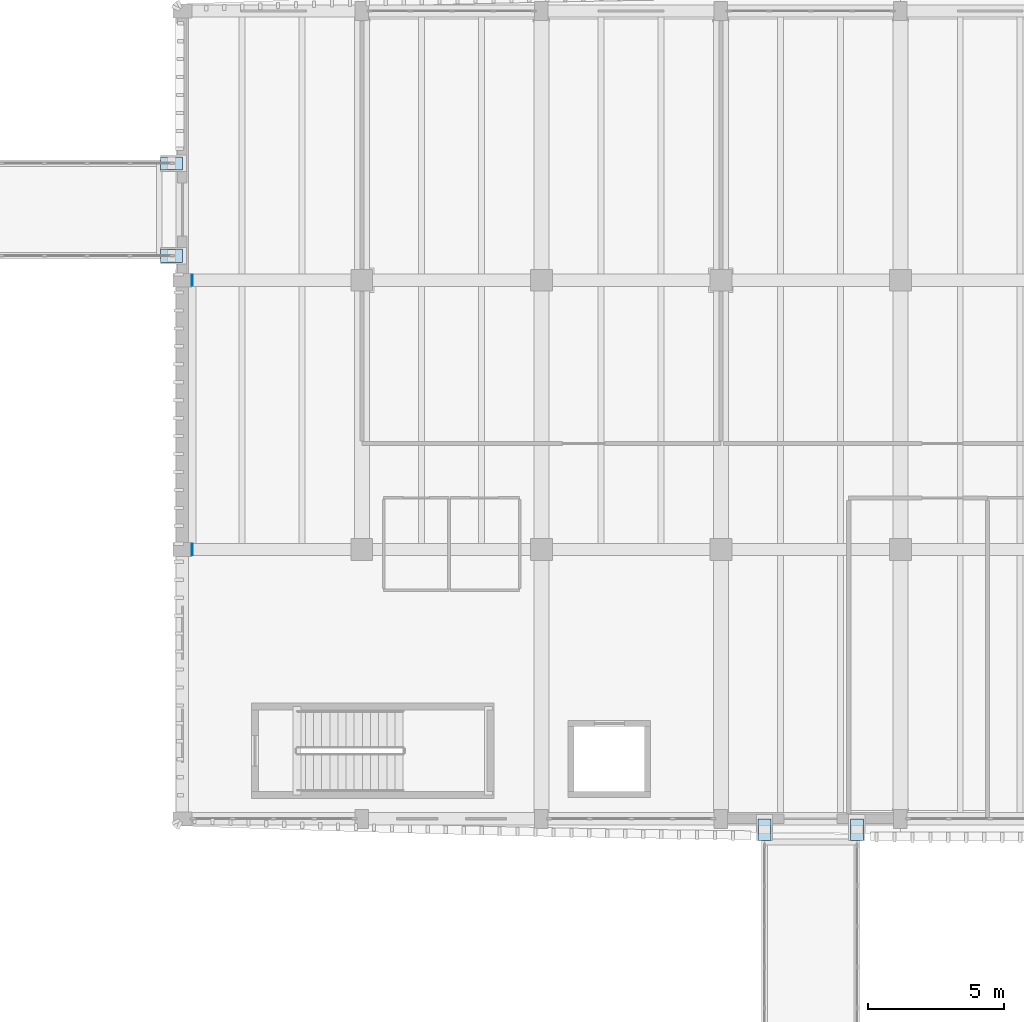
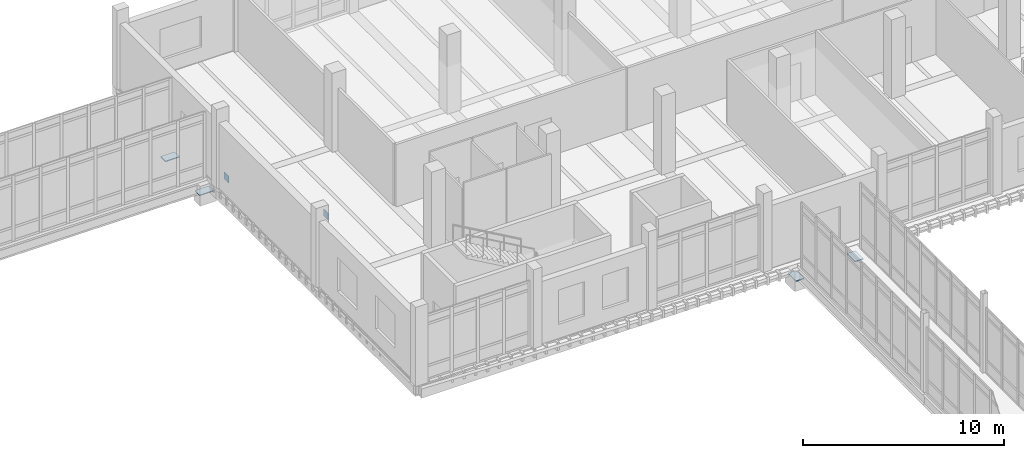
# One storey, part 85 of 125: 6 plates.
"""IFC4 building model written with IfcOpenShell, lengths in metres."""

from ifc_helpers import new_model, si_unit, direction, frame, origin, origin_2d, place, context, subcontext, project, spatial, rectangle, extrude, material, layer, layer_set, type_object, element, save


model = new_model("IFC4")

# Units and contexts
model_context = context("Model", 3, precision=1e-05, world=origin(), true_north=direction((0.0, 1.0)))
body_context = subcontext(model_context, "Body", "Model", "MODEL_VIEW")
ifc_project = project(units=[si_unit("LENGTHUNIT", "METRE"), si_unit("AREAUNIT", "SQUARE_METRE"), si_unit("VOLUMEUNIT", "CUBIC_METRE"), si_unit("PLANEANGLEUNIT", "RADIAN"), si_unit("MASSUNIT", "GRAM", prefix="KILO")], contexts=[model_context])

# Site, building, storey
site_placement = place(None, origin())
site = spatial("IfcSite", under=ifc_project, at=site_placement, CompositionType="ELEMENT")
building_placement = place(site_placement, origin())
building = spatial("IfcBuilding", under=site, at=building_placement, Name="Dornvale Research Institute", CompositionType="ELEMENT")
storey_placement = place(building_placement, frame((0.0, 0.0, 5.39990234375)))
storey = spatial("IfcBuildingStorey", under=building, at=storey_placement, Name="L01", CompositionType="ELEMENT", Elevation=5.39990234375)

# Plates
ifc_material_1 = material(Name="Steel ASTM A572 Grade 50", Category="steel")
ifc_layer_1 = layer(ifc_material_1, 0.050048828125)
ifc_layer_set_1 = layer_set([ifc_layer_1], Name="Steel ASTM A572 Grade 50")
plate_type_1 = type_object("IfcPlateType", Name="SheetPlate_Bearing_50", PredefinedType="SHEET", material=ifc_layer_set_1)
for number, where, z_axis, x_axis, name in (
    (1, (118.39990234375, 113.10009765625, -0.83203125), (0.0, 0.0, 1.0), (1.0, 0.0, 0.0), "Bridge 800mm sliding seat sole plate ND-09"),
    (2, (118.39990234375, 116.5, -0.83203125), (0.0, 0.0, 1.0), (1.0, 0.0, 0.0), "Bridge 800mm sliding seat sole plate ND-10"),
):
    element("IfcPlate", number, at=place(storey_placement, frame(where, z_axis=z_axis, x_axis=x_axis)), inside=storey, type_object=plate_type_1, Name=name, PredefinedType="SHEET", context=body_context, shape_type="SweptSolid", body=[
        extrude(rectangle(XDim=0.800048828125, YDim=0.47998046875, at=origin_2d()), origin(), (0.0, 0.0, 1.0), 0.050048828125),
    ])
for number, where, z_axis, x_axis, name in (
    (3, (140.199951171875, 92.0, -0.83203125), (0.0, 0.0, 1.0), (1.0, 0.0, 0.0), "Bridge 800mm sliding seat sole plate ND-13"),
    (4, (143.60009765625, 92.0, -0.83203125), (0.0, 0.0, 1.0), (1.0, 0.0, 0.0), "Bridge 800mm sliding seat sole plate ND-14"),
):
    element("IfcPlate", number, at=place(storey_placement, frame(where, z_axis=z_axis, x_axis=x_axis)), inside=storey, type_object=plate_type_1, Name=name, PredefinedType="SHEET", context=body_context, shape_type="SweptSolid", body=[
        extrude(rectangle(XDim=0.47998046875, YDim=0.800048828125, at=origin_2d()), origin(), (0.0, 0.0, 1.0), 0.050048828125),
    ])
ifc_material_2 = material(Name="Steel ASTM A572 Grade 50", Category="steel")
ifc_layer_2 = layer(ifc_material_2, 0.031982421875)
ifc_layer_set_2 = layer_set([ifc_layer_2], Name="Steel ASTM A572 Grade 50")
plate_type_2 = type_object("IfcPlateType", Name="SheetPlate_Gusset_32", PredefinedType="SHEET", material=ifc_layer_set_2)
for number, where, z_axis, x_axis, name in (
    (5, (119.159912109375, 112.199951171875, 0.090087890625), (0.0, 0.0, 1.0), (0.0, 1.0, 0.0), "HSS brace node gusset and cap plate ND-041"),
    (6, (119.159912109375, 102.300048828125, 3.840087890625), (0.0, 0.0, 1.0), (0.0, 1.0, 0.0), "HSS brace node gusset and cap plate ND-042"),
):
    element("IfcPlate", number, at=place(storey_placement, frame(where, z_axis=z_axis, x_axis=x_axis)), inside=storey, type_object=plate_type_2, Name=name, PredefinedType="SHEET", context=body_context, shape_type="SweptSolid", body=[
        extrude(rectangle(XDim=0.419921875, YDim=0.031982421875, at=origin_2d()), origin(), (0.0, 0.0, 1.0), 0.419921875),
    ])

save(model, "model.ifc")
